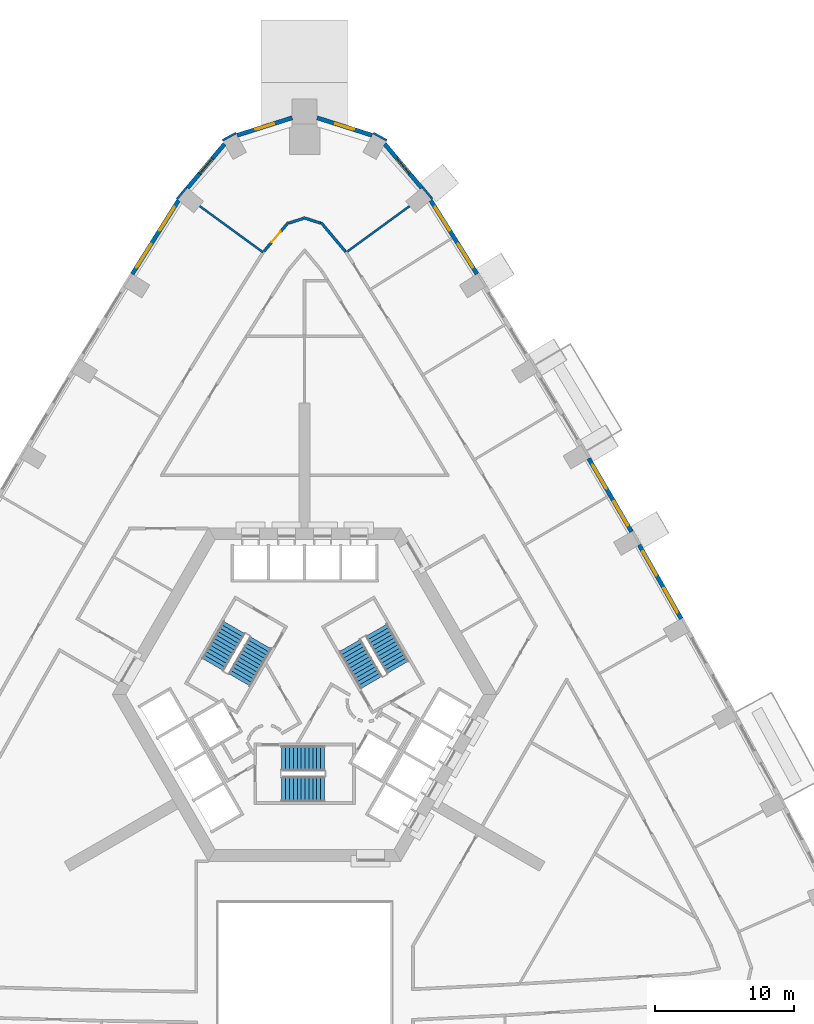
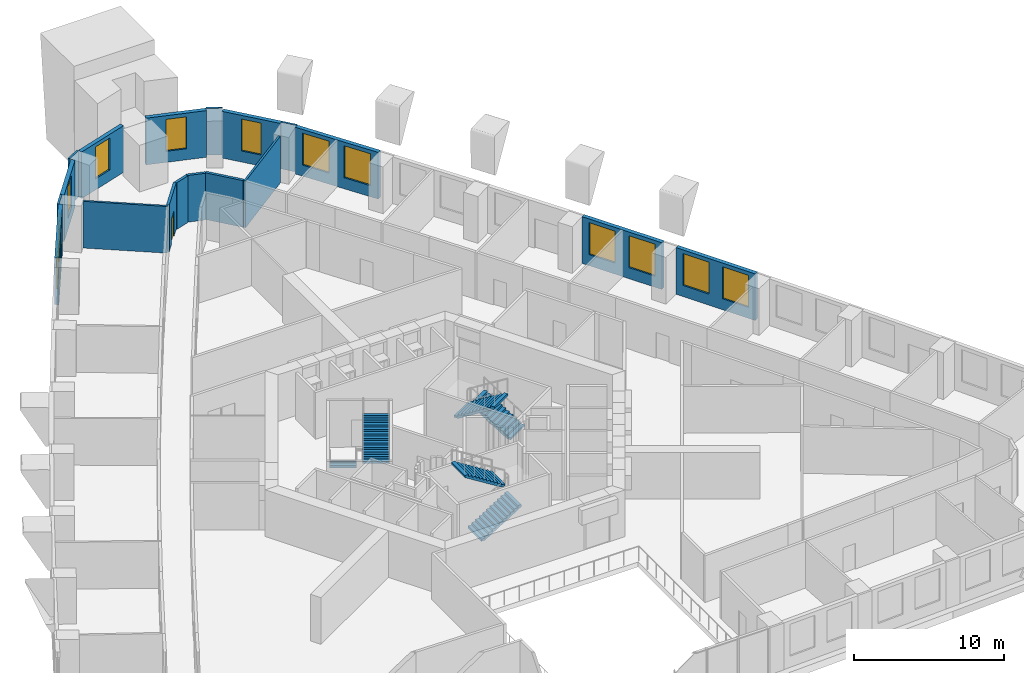
# One storey, part 12 of 15: 18 walls, 12 windows, 6 stair flights, 1 door, 13 openings, 3 elements without a shape of their own.
"""IFC4 building model written with IfcOpenShell, lengths in metres."""

from ifc_helpers import new_model, si_unit, direction, frame, frame_2d, origin, place, context, subcontext, project, spatial, polyline, rectangle, outline, extrude, material, layer, layer_set, type_object, element, fill, aggregate, save


model = new_model("IFC4")

# Units and contexts
model_context = context("Model", 3, precision=1e-05, world=origin(), true_north=direction((0.0, 1.0)))
body_context = subcontext(model_context, "Body", "Model", "MODEL_VIEW")
ifc_project = project(units=[si_unit("LENGTHUNIT", "METRE"), si_unit("AREAUNIT", "SQUARE_METRE"), si_unit("VOLUMEUNIT", "CUBIC_METRE"), si_unit("PLANEANGLEUNIT", "RADIAN"), si_unit("MASSUNIT", "GRAM", prefix="KILO")], contexts=[model_context])

# Site, building, storey
site_placement = place(None, origin())
site = spatial("IfcSite", under=ifc_project, at=site_placement, CompositionType="ELEMENT")
building_placement = place(site_placement, origin())
building = spatial("IfcBuilding", under=site, at=building_placement, Name="Entoto Arch Interchange Tower", CompositionType="ELEMENT")
storey_placement = place(building_placement, frame((0.0, 0.0, 124.39990234375)))
storey = spatial("IfcBuildingStorey", under=building, at=storey_placement, Name="L27", CompositionType="ELEMENT", Elevation=124.39990234375)

# Walls
ifc_material_1 = material(Name="Gypsum board partition on steel studs", Category="steel")
ifc_layer_1 = layer(ifc_material_1, 0.14990234375)
ifc_layer_set_1 = layer_set([ifc_layer_1], Name="Gypsum board partition on steel studs")
wall_type_1 = type_object("IfcWallType", Name="PARTITION 150", PredefinedType="PARTITIONING", material=ifc_layer_set_1)
wall_1_placement = place(storey_placement, frame((2.907958984375, 34.281005859375, 0.0), z_axis=(0.0, 0.0, 1.0), x_axis=(0.807935867, 0.589270425879, 0.0)))
element("IfcWall", 1, at=wall_1_placement, inside=storey, type_object=wall_type_1, Name="wall:L27:p144", PredefinedType="PARTITIONING", context=body_context, shape_type="SweptSolid", body=[
    extrude(rectangle(XDim=5.744384765625, YDim=0.14990234375, at=frame_2d((2.8720703125, 0.0))), origin(), (0.0, 0.0, 1.0), 3.800048828125),
])
wall_2_placement = place(storey_placement, frame((-2.989013671875, 34.340087890625, 0.0), z_axis=(0.0, 0.0, 1.0), x_axis=(-0.807932877043, 0.589274525322, 0.0)))
element("IfcWall", 2, at=wall_2_placement, inside=storey, type_object=wall_type_1, Name="wall:L27:p145", PredefinedType="PARTITIONING", context=body_context, shape_type="SweptSolid", body=[
    extrude(rectangle(XDim=5.64404296875, YDim=0.14990234375, at=frame_2d((2.822021484375, 0.0))), origin(), (0.0, 0.0, 1.0), 3.800048828125),
])

# Wall, opening, door
ifc_layer_2 = layer(ifc_material_1, 0.199951171875)
ifc_layer_set_2 = layer_set([ifc_layer_2], Name="Gypsum board partition on steel studs")
wall_type_2 = type_object("IfcWallType", Name="PARTITION 200", PredefinedType="PARTITIONING", material=ifc_layer_set_2)
wall_3_placement = place(storey_placement, frame((-2.924072265625, 34.4169921875, 0.0), z_axis=(0.0, 0.0, 1.0), x_axis=(0.644113583568, 0.764929860486, 0.0)))
wall_3 = element("IfcWall", 3, at=wall_3_placement, inside=storey, type_object=wall_type_2, Name="wall:L27:p063", PredefinedType="PARTITIONING", context=body_context, shape_type="SweptSolid", body=[
    extrude(rectangle(XDim=2.7138671875, YDim=0.199951171875, at=frame_2d((1.35693359375, 0.0))), origin(), (0.0, 0.0, 1.0), 3.800048828125),
])
opening_1_placement = place(wall_3_placement, frame((0.85693359375, 0.0, 0.0)))
opening_1 = element("IfcOpeningElement", 4, at=opening_1_placement, cuts=wall_3, Name="Opening L27-D13", PredefinedType="OPENING", context=body_context, shape_type="SweptSolid", body=[
    extrude(rectangle(XDim=1.0, YDim=2.10009765625, at=frame_2d((0.5, 1.050048828125))), frame((0.0, 0.10986328125, 0.0), z_axis=(0.0, -1.0, 0.0), x_axis=(1.0, 0.0, 0.0)), (0.0, 0.0, 1.0), 0.219970703125),
])
ifc_material_2 = material(Name="Timber door leaf in Steel S235 frame", Category="steel")
door_type = type_object("IfcDoorType", Name="DOOR DS-10 1000x2100", OperationType="SINGLE_SWING_LEFT", PredefinedType="DOOR", material=ifc_material_2)
door_placement = place(opening_1_placement, origin())
door = element("IfcDoor", 5, at=door_placement, inside=storey, type_object=door_type, Name="door:L27:13", OperationType="SINGLE_SWING_LEFT", OverallHeight=2.10009765625, OverallWidth=1.0, PredefinedType="DOOR", context=body_context, shape_type="SweptSolid", body=[
    extrude(rectangle(XDim=1.0, YDim=2.10009765625, at=frame_2d((0.5, 1.050048828125))), frame((0.0, 0.02490234375, 0.0), z_axis=(0.0, -1.0, 0.0), x_axis=(1.0, 0.0, 0.0)), (0.0, 0.0, 1.0), 0.050048828125),
])
fill(opening_1, door)

# Walls
wall_4_placement = place(storey_placement, frame((-1.14501953125, 36.447021484375, 0.0), z_axis=(0.0, 0.0, 1.0), x_axis=(0.952957783381, 0.303103056886, 0.0)))
element("IfcWall", 6, at=wall_4_placement, inside=storey, type_object=wall_type_2, Name="wall:L27:p064", PredefinedType="PARTITIONING", context=body_context, shape_type="SweptSolid", body=[
    extrude(rectangle(XDim=1.101806640625, YDim=0.199951171875, at=frame_2d((0.55078125, 0.0))), origin(), (0.0, 0.0, 1.0), 3.800048828125),
])
wall_5_placement = place(storey_placement, frame((-0.094970703125, 36.841064453125, 0.0), z_axis=(0.0, 0.0, 1.0), x_axis=(0.953036611979, -0.302855107646, 0.0)))
element("IfcWall", 7, at=wall_5_placement, inside=storey, type_object=wall_type_2, Name="wall:L27:p065", PredefinedType="PARTITIONING", context=body_context, shape_type="SweptSolid", body=[
    extrude(rectangle(XDim=1.301025390625, YDim=0.199951171875, at=frame_2d((0.650390625, 0.0))), origin(), (0.0, 0.0, 1.0), 3.800048828125),
])
wall_6_placement = place(storey_placement, frame((1.176025390625, 36.492919921875, 0.0), z_axis=(0.0, 0.0, 1.0), x_axis=(0.644113583568, -0.764929860486, 0.0)))
element("IfcWall", 8, at=wall_6_placement, inside=storey, type_object=wall_type_2, Name="wall:L27:p066", PredefinedType="PARTITIONING", context=body_context, shape_type="SweptSolid", body=[
    extrude(rectangle(XDim=2.7138671875, YDim=0.199951171875, at=frame_2d((1.35693359375, 0.0))), origin(), (0.0, 0.0, 1.0), 3.800048828125),
])

# Wall, openings, windows
ifc_material_3 = material(Name="Welded tuff (ignimbrite) cladding, warm buff", Category="masonry")
ifc_layer_3 = layer(ifc_material_3, 0.300048828125)
ifc_layer_set_3 = layer_set([ifc_layer_3], Name="Welded tuff (ignimbrite) cladding, warm buff")
wall_type_3 = type_object("IfcWallType", Name="STONE INFILL WALL 300", PredefinedType="STANDARD", material=ifc_layer_set_3)
wall_7_placement = place(storey_placement, frame((27.116943359375, 7.9609375, 0.0), z_axis=(0.0, 0.0, 1.0), x_axis=(-0.495472401298, 0.868623681206, 0.0)))
wall_7 = element("IfcWall", 9, at=wall_7_placement, inside=storey, type_object=wall_type_3, Name="Facade wall NE-04 L27", PredefinedType="STANDARD", context=body_context, shape_type="SweptSolid", body=[
    extrude(rectangle(XDim=6.115478515625, YDim=0.300048828125, at=frame_2d((3.0576171875, 0.0))), origin(), (0.0, 0.0, 1.0), 3.800048828125),
])
opening_2_placement = place(wall_7_placement, frame((0.529052734375, 0.0, 0.89990234375)))
opening_2 = element("IfcOpeningElement", 10, at=opening_2_placement, cuts=wall_7, Name="Opening WO-C", PredefinedType="OPENING", context=body_context, shape_type="SweptSolid", body=[
    extrude(rectangle(XDim=2.0, YDim=2.60009765625, at=frame_2d((1.0, 1.300048828125))), frame((0.0, 0.16015625, 0.0), z_axis=(0.0, -1.0, 0.0), x_axis=(1.0, 0.0, 0.0)), (0.0, 0.0, 1.0), 0.320068359375),
])
opening_3_placement = place(wall_7_placement, frame((3.5869140625, 0.0, 0.89990234375)))
opening_3 = element("IfcOpeningElement", 11, at=opening_3_placement, cuts=wall_7, Name="Opening WO-C", PredefinedType="OPENING", context=body_context, shape_type="SweptSolid", body=[
    extrude(rectangle(XDim=2.0, YDim=2.60009765625, at=frame_2d((1.0, 1.300048828125))), frame((0.0, 0.16015625, 0.0), z_axis=(0.0, -1.0, 0.0), x_axis=(1.0, 0.0, 0.0)), (0.0, 0.0, 1.0), 0.320068359375),
])
ifc_material_4 = material(Name="Clear glass, low-e double glazed", Category="glass")
window_type_1 = type_object("IfcWindowType", Name="WINDOW WO-C 2000x2600", PartitioningType="DOUBLE_PANEL_VERTICAL", PredefinedType="WINDOW", material=ifc_material_4)
window_1_placement = place(opening_2_placement, origin())
window_1 = element("IfcWindow", 12, at=window_1_placement, inside=storey, type_object=window_type_1, Name="Window WO-C NE-04 L27", OverallHeight=2.60009765625, OverallWidth=2.0, PartitioningType="SINGLE_PANEL", PredefinedType="WINDOW", context=body_context, shape_type="SweptSolid", body=[
    extrude(rectangle(XDim=2.0, YDim=2.60009765625, at=frame_2d((1.0, 1.300048828125))), frame((0.0, 0.030029296875, 0.0), z_axis=(0.0, -1.0, 0.0), x_axis=(1.0, 0.0, 0.0)), (0.0, 0.0, 1.0), 0.06005859375),
])
fill(opening_2, window_1)
window_2_placement = place(opening_3_placement, origin())
window_2 = element("IfcWindow", 13, at=window_2_placement, inside=storey, type_object=window_type_1, Name="Window WO-C NE-04 L27", OverallHeight=2.60009765625, OverallWidth=2.0, PartitioningType="SINGLE_PANEL", PredefinedType="WINDOW", context=body_context, shape_type="SweptSolid", body=[
    extrude(rectangle(XDim=2.0, YDim=2.60009765625, at=frame_2d((1.0, 1.300048828125))), frame((0.0, 0.030029296875, 0.0), z_axis=(0.0, -1.0, 0.0), x_axis=(1.0, 0.0, 0.0)), (0.0, 0.0, 1.0), 0.06005859375),
])
fill(opening_3, window_2)

wall_8_placement = place(storey_placement, frame((23.5380859375, 14.22412109375, 0.0), z_axis=(0.0, 0.0, 1.0), x_axis=(-0.504441987427, 0.863445586775, 0.0)))
wall_8 = element("IfcWall", 14, at=wall_8_placement, inside=storey, type_object=wall_type_3, Name="Facade wall NE-05 L27", PredefinedType="STANDARD", context=body_context, shape_type="SweptSolid", body=[
    extrude(rectangle(XDim=6.11376953125, YDim=0.300048828125, at=frame_2d((3.056884765625, 0.0))), origin(), (0.0, 0.0, 1.0), 3.800048828125),
])
opening_4_placement = place(wall_8_placement, frame((0.528076171875, 0.0, 0.89990234375)))
opening_4 = element("IfcOpeningElement", 15, at=opening_4_placement, cuts=wall_8, Name="Opening WO-C", PredefinedType="OPENING", context=body_context, shape_type="SweptSolid", body=[
    extrude(rectangle(XDim=2.0, YDim=2.60009765625, at=frame_2d((1.0, 1.300048828125))), frame((0.0, 0.16015625, 0.0), z_axis=(0.0, -1.0, 0.0), x_axis=(1.0, 0.0, 0.0)), (0.0, 0.0, 1.0), 0.320068359375),
])
opening_5_placement = place(wall_8_placement, frame((3.5849609375, 0.0, 0.89990234375)))
opening_5 = element("IfcOpeningElement", 16, at=opening_5_placement, cuts=wall_8, Name="Opening WO-C", PredefinedType="OPENING", context=body_context, shape_type="SweptSolid", body=[
    extrude(rectangle(XDim=2.0, YDim=2.60009765625, at=frame_2d((1.0, 1.300048828125))), frame((0.0, 0.16015625, 0.0), z_axis=(0.0, -1.0, 0.0), x_axis=(1.0, 0.0, 0.0)), (0.0, 0.0, 1.0), 0.320068359375),
])
window_3_placement = place(opening_4_placement, origin())
window_3 = element("IfcWindow", 17, at=window_3_placement, inside=storey, type_object=window_type_1, Name="Window WO-C NE-05 L27", OverallHeight=2.60009765625, OverallWidth=2.0, PartitioningType="SINGLE_PANEL", PredefinedType="WINDOW", context=body_context, shape_type="SweptSolid", body=[
    extrude(rectangle(XDim=2.0, YDim=2.60009765625, at=frame_2d((1.0, 1.300048828125))), frame((0.0, 0.030029296875, 0.0), z_axis=(0.0, -1.0, 0.0), x_axis=(1.0, 0.0, 0.0)), (0.0, 0.0, 1.0), 0.06005859375),
])
fill(opening_4, window_3)
window_4_placement = place(opening_5_placement, origin())
window_4 = element("IfcWindow", 18, at=window_4_placement, inside=storey, type_object=window_type_1, Name="Window WO-C NE-05 L27", OverallHeight=2.60009765625, OverallWidth=2.0, PartitioningType="SINGLE_PANEL", PredefinedType="WINDOW", context=body_context, shape_type="SweptSolid", body=[
    extrude(rectangle(XDim=2.0, YDim=2.60009765625, at=frame_2d((1.0, 1.300048828125))), frame((0.0, 0.030029296875, 0.0), z_axis=(0.0, -1.0, 0.0), x_axis=(1.0, 0.0, 0.0)), (0.0, 0.0, 1.0), 0.06005859375),
])
fill(opening_5, window_4)

wall_9_placement = place(storey_placement, frame((12.409912109375, 32.779052734375, 0.0), z_axis=(0.0, 0.0, 1.0), x_axis=(-0.53160564075, 0.846991996847, 0.0)))
wall_9 = element("IfcWall", 19, at=wall_9_placement, inside=storey, type_object=wall_type_3, Name="Facade wall NE-08 L27", PredefinedType="STANDARD", context=body_context, shape_type="SweptSolid", body=[
    extrude(rectangle(XDim=6.265625, YDim=0.300048828125, at=frame_2d((3.1328125, 0.0))), origin(), (0.0, 0.0, 1.0), 3.800048828125),
])
opening_6_placement = place(wall_9_placement, frame((0.56591796875, 0.0, 0.89990234375)))
opening_6 = element("IfcOpeningElement", 20, at=opening_6_placement, cuts=wall_9, Name="Opening WO-C", PredefinedType="OPENING", context=body_context, shape_type="SweptSolid", body=[
    extrude(rectangle(XDim=2.0, YDim=2.60009765625, at=frame_2d((1.0, 1.300048828125))), frame((0.0, 0.16015625, 0.0), z_axis=(0.0, -1.0, 0.0), x_axis=(1.0, 0.0, 0.0)), (0.0, 0.0, 1.0), 0.320068359375),
])
opening_7_placement = place(wall_9_placement, frame((3.698974609375, 0.0, 0.89990234375)))
opening_7 = element("IfcOpeningElement", 21, at=opening_7_placement, cuts=wall_9, Name="Opening WO-C", PredefinedType="OPENING", context=body_context, shape_type="SweptSolid", body=[
    extrude(rectangle(XDim=2.0, YDim=2.60009765625, at=frame_2d((1.0, 1.300048828125))), frame((0.0, 0.16015625, 0.0), z_axis=(0.0, -1.0, 0.0), x_axis=(1.0, 0.0, 0.0)), (0.0, 0.0, 1.0), 0.320068359375),
])
window_5_placement = place(opening_6_placement, origin())
window_5 = element("IfcWindow", 22, at=window_5_placement, inside=storey, type_object=window_type_1, Name="Window WO-C NE-08 L27", OverallHeight=2.60009765625, OverallWidth=2.0, PartitioningType="SINGLE_PANEL", PredefinedType="WINDOW", context=body_context, shape_type="SweptSolid", body=[
    extrude(rectangle(XDim=2.0, YDim=2.60009765625, at=frame_2d((1.0, 1.300048828125))), frame((0.0, 0.030029296875, 0.0), z_axis=(0.0, -1.0, 0.0), x_axis=(1.0, 0.0, 0.0)), (0.0, 0.0, 1.0), 0.06005859375),
])
fill(opening_6, window_5)
window_6_placement = place(opening_7_placement, origin())
window_6 = element("IfcWindow", 23, at=window_6_placement, inside=storey, type_object=window_type_1, Name="Window WO-C NE-08 L27", OverallHeight=2.60009765625, OverallWidth=2.0, PartitioningType="SINGLE_PANEL", PredefinedType="WINDOW", context=body_context, shape_type="SweptSolid", body=[
    extrude(rectangle(XDim=2.0, YDim=2.60009765625, at=frame_2d((1.0, 1.300048828125))), frame((0.0, 0.030029296875, 0.0), z_axis=(0.0, -1.0, 0.0), x_axis=(1.0, 0.0, 0.0)), (0.0, 0.0, 1.0), 0.06005859375),
])
fill(opening_7, window_6)

# Wall, opening, window
wall_10_placement = place(storey_placement, frame((8.431884765625, 38.97607421875, 0.0), z_axis=(0.0, 0.0, 1.0), x_axis=(-0.643948600943, 0.765068754652, 0.0)))
wall_10 = element("IfcWall", 24, at=wall_10_placement, inside=storey, type_object=wall_type_3, Name="Facade wall N-01 L27", PredefinedType="STANDARD", context=body_context, shape_type="SweptSolid", body=[
    extrude(rectangle(XDim=4.13818359375, YDim=0.300048828125, at=frame_2d((2.069091796875, 0.0))), origin(), (0.0, 0.0, 1.0), 3.800048828125),
])
opening_8_placement = place(wall_10_placement, frame((1.368896484375, 0.0, 0.89990234375)))
opening_8 = element("IfcOpeningElement", 25, at=opening_8_placement, cuts=wall_10, Name="Opening WO-B", PredefinedType="OPENING", context=body_context, shape_type="SweptSolid", body=[
    extrude(rectangle(XDim=1.39990234375, YDim=2.60009765625, at=frame_2d((0.699951171875, 1.300048828125))), frame((0.0, 0.16015625, 0.0), z_axis=(0.0, -1.0, 0.0), x_axis=(1.0, 0.0, 0.0)), (0.0, 0.0, 1.0), 0.320068359375),
])
window_type_2 = type_object("IfcWindowType", Name="WINDOW WO-B 1400x2600", PartitioningType="DOUBLE_PANEL_VERTICAL", PredefinedType="WINDOW", material=ifc_material_4)
window_7_placement = place(opening_8_placement, origin())
window_7 = element("IfcWindow", 26, at=window_7_placement, inside=storey, type_object=window_type_2, Name="Window WO-B N-01 L27", OverallHeight=2.60009765625, OverallWidth=1.39990234375, PartitioningType="SINGLE_PANEL", PredefinedType="WINDOW", context=body_context, shape_type="SweptSolid", body=[
    extrude(rectangle(XDim=1.39990234375, YDim=2.60009765625, at=frame_2d((0.699951171875, 1.300048828125))), frame((0.0, 0.030029296875, 0.0), z_axis=(0.0, -1.0, 0.0), x_axis=(1.0, 0.0, 0.0)), (0.0, 0.0, 1.0), 0.06005859375),
])
fill(opening_8, window_7)

wall_11_placement = place(storey_placement, frame((4.85888671875, 42.76904296875, 0.0), z_axis=(0.0, 0.0, 1.0), x_axis=(-0.952992117398, 0.30299508936, 0.0)))
wall_11 = element("IfcWall", 27, at=wall_11_placement, inside=storey, type_object=wall_type_3, Name="Facade wall N-02 L27", PredefinedType="STANDARD", context=body_context, shape_type="SweptSolid", body=[
    extrude(rectangle(XDim=4.1552734375, YDim=0.300048828125, at=frame_2d((2.07763671875, 0.0))), origin(), (0.0, 0.0, 1.0), 3.800048828125),
])
opening_9_placement = place(wall_11_placement, frame((1.3779296875, 0.0, 0.89990234375)))
opening_9 = element("IfcOpeningElement", 28, at=opening_9_placement, cuts=wall_11, Name="Opening WO-B", PredefinedType="OPENING", context=body_context, shape_type="SweptSolid", body=[
    extrude(rectangle(XDim=1.39990234375, YDim=2.60009765625, at=frame_2d((0.699951171875, 1.300048828125))), frame((0.0, 0.16015625, 0.0), z_axis=(0.0, -1.0, 0.0), x_axis=(1.0, 0.0, 0.0)), (0.0, 0.0, 1.0), 0.320068359375),
])
window_8_placement = place(opening_9_placement, origin())
window_8 = element("IfcWindow", 29, at=window_8_placement, inside=storey, type_object=window_type_2, Name="Window WO-B N-02 L27", OverallHeight=2.60009765625, OverallWidth=1.39990234375, PartitioningType="SINGLE_PANEL", PredefinedType="WINDOW", context=body_context, shape_type="SweptSolid", body=[
    extrude(rectangle(XDim=1.39990234375, YDim=2.60009765625, at=frame_2d((0.699951171875, 1.300048828125))), frame((0.0, 0.030029296875, 0.0), z_axis=(0.0, -1.0, 0.0), x_axis=(1.0, 0.0, 0.0)), (0.0, 0.0, 1.0), 0.06005859375),
])
fill(opening_9, window_8)

wall_12_placement = place(storey_placement, frame((-0.89892578125, 44.028076171875, 0.0), z_axis=(0.0, 0.0, 1.0), x_axis=(-0.952992117398, -0.30299508936, 0.0)))
wall_12 = element("IfcWall", 30, at=wall_12_placement, inside=storey, type_object=wall_type_3, Name="Facade wall N-03 L27", PredefinedType="STANDARD", context=body_context, shape_type="SweptSolid", body=[
    extrude(rectangle(XDim=4.1552734375, YDim=0.300048828125, at=frame_2d((2.07763671875, 0.0))), origin(), (0.0, 0.0, 1.0), 3.800048828125),
])
opening_10_placement = place(wall_12_placement, frame((1.3779296875, 0.0, 0.89990234375)))
opening_10 = element("IfcOpeningElement", 31, at=opening_10_placement, cuts=wall_12, Name="Opening WO-B", PredefinedType="OPENING", context=body_context, shape_type="SweptSolid", body=[
    extrude(rectangle(XDim=1.39990234375, YDim=2.60009765625, at=frame_2d((0.699951171875, 1.300048828125))), frame((0.0, 0.16015625, 0.0), z_axis=(0.0, -1.0, 0.0), x_axis=(1.0, 0.0, 0.0)), (0.0, 0.0, 1.0), 0.320068359375),
])
window_9_placement = place(opening_10_placement, origin())
window_9 = element("IfcWindow", 32, at=window_9_placement, inside=storey, type_object=window_type_2, Name="Window WO-B N-03 L27", OverallHeight=2.60009765625, OverallWidth=1.39990234375, PartitioningType="SINGLE_PANEL", PredefinedType="WINDOW", context=body_context, shape_type="SweptSolid", body=[
    extrude(rectangle(XDim=1.39990234375, YDim=2.60009765625, at=frame_2d((0.699951171875, 1.300048828125))), frame((0.0, 0.030029296875, 0.0), z_axis=(0.0, -1.0, 0.0), x_axis=(1.0, 0.0, 0.0)), (0.0, 0.0, 1.0), 0.06005859375),
])
fill(opening_10, window_9)

wall_13_placement = place(storey_placement, frame((-5.76708984375, 42.14208984375, 0.0), z_axis=(0.0, 0.0, 1.0), x_axis=(-0.643948600943, -0.765068754652, 0.0)))
wall_13 = element("IfcWall", 33, at=wall_13_placement, inside=storey, type_object=wall_type_3, Name="Facade wall N-04 L27", PredefinedType="STANDARD", context=body_context, shape_type="SweptSolid", body=[
    extrude(rectangle(XDim=4.13818359375, YDim=0.300048828125, at=frame_2d((2.069091796875, 0.0))), origin(), (0.0, 0.0, 1.0), 3.800048828125),
])
opening_11_placement = place(wall_13_placement, frame((1.368896484375, 0.0, 0.89990234375)))
opening_11 = element("IfcOpeningElement", 34, at=opening_11_placement, cuts=wall_13, Name="Opening WO-B", PredefinedType="OPENING", context=body_context, shape_type="SweptSolid", body=[
    extrude(rectangle(XDim=1.39990234375, YDim=2.60009765625, at=frame_2d((0.699951171875, 1.300048828125))), frame((0.0, 0.16015625, 0.0), z_axis=(0.0, -1.0, 0.0), x_axis=(1.0, 0.0, 0.0)), (0.0, 0.0, 1.0), 0.320068359375),
])
window_10_placement = place(opening_11_placement, origin())
window_10 = element("IfcWindow", 35, at=window_10_placement, inside=storey, type_object=window_type_2, Name="Window WO-B N-04 L27", OverallHeight=2.60009765625, OverallWidth=1.39990234375, PartitioningType="SINGLE_PANEL", PredefinedType="WINDOW", context=body_context, shape_type="SweptSolid", body=[
    extrude(rectangle(XDim=1.39990234375, YDim=2.60009765625, at=frame_2d((0.699951171875, 1.300048828125))), frame((0.0, 0.030029296875, 0.0), z_axis=(0.0, -1.0, 0.0), x_axis=(1.0, 0.0, 0.0)), (0.0, 0.0, 1.0), 0.06005859375),
])
fill(opening_11, window_10)

# Wall, openings, windows
wall_14_placement = place(storey_placement, frame((-9.0791015625, 38.0859375, 0.0), z_axis=(0.0, 0.0, 1.0), x_axis=(-0.53160564075, -0.846991996847, 0.0)))
wall_14 = element("IfcWall", 36, at=wall_14_placement, inside=storey, type_object=wall_type_3, Name="Facade wall NW-01 L27", PredefinedType="STANDARD", context=body_context, shape_type="SweptSolid", body=[
    extrude(rectangle(XDim=6.265625, YDim=0.300048828125, at=frame_2d((3.1328125, 0.0))), origin(), (0.0, 0.0, 1.0), 3.800048828125),
])
opening_12_placement = place(wall_14_placement, frame((0.56591796875, 0.0, 0.89990234375)))
opening_12 = element("IfcOpeningElement", 37, at=opening_12_placement, cuts=wall_14, Name="Opening WO-C", PredefinedType="OPENING", context=body_context, shape_type="SweptSolid", body=[
    extrude(rectangle(XDim=2.0, YDim=2.60009765625, at=frame_2d((1.0, 1.300048828125))), frame((0.0, 0.16015625, 0.0), z_axis=(0.0, -1.0, 0.0), x_axis=(1.0, 0.0, 0.0)), (0.0, 0.0, 1.0), 0.320068359375),
])
opening_13_placement = place(wall_14_placement, frame((3.698974609375, 0.0, 0.89990234375)))
opening_13 = element("IfcOpeningElement", 38, at=opening_13_placement, cuts=wall_14, Name="Opening WO-C", PredefinedType="OPENING", context=body_context, shape_type="SweptSolid", body=[
    extrude(rectangle(XDim=2.0, YDim=2.60009765625, at=frame_2d((1.0, 1.300048828125))), frame((0.0, 0.16015625, 0.0), z_axis=(0.0, -1.0, 0.0), x_axis=(1.0, 0.0, 0.0)), (0.0, 0.0, 1.0), 0.320068359375),
])
window_11_placement = place(opening_12_placement, origin())
window_11 = element("IfcWindow", 39, at=window_11_placement, inside=storey, type_object=window_type_1, Name="Window WO-C NW-01 L27", OverallHeight=2.60009765625, OverallWidth=2.0, PartitioningType="SINGLE_PANEL", PredefinedType="WINDOW", context=body_context, shape_type="SweptSolid", body=[
    extrude(rectangle(XDim=2.0, YDim=2.60009765625, at=frame_2d((1.0, 1.300048828125))), frame((0.0, 0.030029296875, 0.0), z_axis=(0.0, -1.0, 0.0), x_axis=(1.0, 0.0, 0.0)), (0.0, 0.0, 1.0), 0.06005859375),
])
fill(opening_12, window_11)
window_12_placement = place(opening_13_placement, origin())
window_12 = element("IfcWindow", 40, at=window_12_placement, inside=storey, type_object=window_type_1, Name="Window WO-C NW-01 L27", OverallHeight=2.60009765625, OverallWidth=2.0, PartitioningType="SINGLE_PANEL", PredefinedType="WINDOW", context=body_context, shape_type="SweptSolid", body=[
    extrude(rectangle(XDim=2.0, YDim=2.60009765625, at=frame_2d((1.0, 1.300048828125))), frame((0.0, 0.030029296875, 0.0), z_axis=(0.0, -1.0, 0.0), x_axis=(1.0, 0.0, 0.0)), (0.0, 0.0, 1.0), 0.06005859375),
])
fill(opening_13, window_12)

# Walls
ifc_layer_4 = layer(ifc_material_3, 0.14990234375)
ifc_layer_set_4 = layer_set([ifc_layer_4], Name="Welded tuff (ignimbrite) cladding, warm buff")
wall_type_4 = type_object("IfcWallType", Name="STONE PIER CLADDING 150", PredefinedType="STANDARD", material=ifc_layer_set_4)
for number, where, z_axis, x_axis, name in (
    (41, (5.912109375, 42.404052734375, 0.0), (0.0, 0.0, 1.0), (-0.877556336627, 0.479473540507, 0.0), "Stone pier N1 L27"),
    (42, (-4.946044921875, 42.931884765625, 0.0), (0.0, 0.0, 1.0), (-0.877556336627, -0.479473540507, 0.0), "Stone pier N3 L27"),
):
    element("IfcWall", number, at=place(storey_placement, frame(where, z_axis=z_axis, x_axis=x_axis)), inside=storey, type_object=wall_type_4, Name=name, PredefinedType="STANDARD", context=body_context, shape_type="SweptSolid", body=[
        extrude(rectangle(XDim=1.100830078125, YDim=0.14990234375, at=frame_2d((0.55029296875, 0.0))), origin(), (0.0, 0.0, 1.0), 3.800048828125),
    ])
for number, where, z_axis, x_axis, name in (
    (43, (9.194091796875, 38.180908203125, 0.0), (0.0, 0.0, 1.0), (-0.638566874111, 0.769566337159, 0.0), "Stone pier NE09 L27"),
    (44, (-8.491943359375, 39.027099609375, 0.0), (0.0, 0.0, 1.0), (-0.638566874111, -0.769566337159, 0.0), "Stone pier NW01 L27"),
):
    element("IfcWall", number, at=place(storey_placement, frame(where, z_axis=z_axis, x_axis=x_axis)), inside=storey, type_object=wall_type_4, Name=name, PredefinedType="STANDARD", context=body_context, shape_type="SweptSolid", body=[
        extrude(rectangle(XDim=1.099609375, YDim=0.14990234375, at=frame_2d((0.5498046875, 0.0))), origin(), (0.0, 0.0, 1.0), 3.800048828125),
    ])

# Stair, stair flights
ifc_material_5 = material(Name="Concrete C40/50", Category="concrete")
stair_type = type_object("IfcStairType", Name="EXIT STAIR RC 1800", PredefinedType="HALF_TURN_STAIR", material=ifc_material_5)
stair_1_placement = place(storey_placement, origin())
stair_1 = element("IfcStair", 45, at=stair_1_placement, inside=storey, type_object=stair_type, Name="L27 Exit stair S", PredefinedType="HALF_TURN_STAIR")
stair_flight_type = type_object("IfcStairFlightType", Name="EXIT STAIR FLIGHT RC 1800", PredefinedType="STRAIGHT", material=ifc_material_5)
stair_flight_1_placement = place(storey_placement, frame((-1.64990234375, -4.300048828125, 0.0), z_axis=(0.0, 0.0, 1.0), x_axis=(1.0, 0.0, 0.0)))
stair_flight_1 = element("IfcStairFlight", 46, at=stair_flight_1_placement, type_object=stair_flight_type, Name="ST-S flight 1", NumberOfRisers=12, NumberOfTreads=11, PredefinedType="STRAIGHT", RiserHeight=0.175, TreadLength=0.28, context=body_context, shape_type="SweptSolid", body=[
    extrude(outline(polyline([(-0.0029296875, 0.0), (-0.0029296875, 0.175048828125), (0.280029296875, 0.175048828125), (0.280029296875, 0.35009765625), (0.56005859375, 0.35009765625), (0.56005859375, 0.52490234375), (0.840087890625, 0.52490234375), (0.840087890625, 0.699951171875), (1.1201171875, 0.699951171875), (1.1201171875, 0.875), (1.39990234375, 0.875), (1.39990234375, 1.050048828125), (1.679931640625, 1.050048828125), (1.679931640625, 1.22509765625), (1.9599609375, 1.22509765625), (1.9599609375, 1.39990234375), (2.239990234375, 1.39990234375), (2.239990234375, 1.574951171875), (2.52001953125, 1.574951171875), (2.52001953125, 1.75), (2.800048828125, 1.75), (2.800048828125, 1.925048828125), (3.080078125, 1.925048828125), (3.0830078125, 1.925048828125), (3.0830078125, 1.75), (0.28271484375, 0.0), (-0.0029296875, 0.0)])), frame((0.0, 0.89990234375, 0.0), z_axis=(0.0, -1.0, 0.0), x_axis=(1.0, 0.0, 0.0)), (0.0, 0.0, 1.0), 1.800048828125),
])
stair_flight_2_placement = place(storey_placement, frame((1.429931640625, -2.10009765625, 2.10009765625), z_axis=(0.0, 0.0, 1.0), x_axis=(-1.0, 0.0, 0.0)))
stair_flight_2 = element("IfcStairFlight", 47, at=stair_flight_2_placement, type_object=stair_flight_type, Name="ST-S flight 2", NumberOfRisers=12, NumberOfTreads=11, PredefinedType="STRAIGHT", RiserHeight=0.175, TreadLength=0.28, context=body_context, shape_type="SweptSolid", body=[
    extrude(outline(polyline([(-0.0029296875, 0.0), (-0.0029296875, 0.175048828125), (0.280029296875, 0.175048828125), (0.280029296875, 0.35009765625), (0.56005859375, 0.35009765625), (0.56005859375, 0.52490234375), (0.840087890625, 0.52490234375), (0.840087890625, 0.699951171875), (1.1201171875, 0.699951171875), (1.1201171875, 0.875), (1.39990234375, 0.875), (1.39990234375, 1.050048828125), (1.679931640625, 1.050048828125), (1.679931640625, 1.22509765625), (1.9599609375, 1.22509765625), (1.9599609375, 1.39990234375), (2.239990234375, 1.39990234375), (2.239990234375, 1.574951171875), (2.52001953125, 1.574951171875), (2.52001953125, 1.75), (2.800048828125, 1.75), (2.800048828125, 1.925048828125), (3.080078125, 1.925048828125), (3.0830078125, 1.925048828125), (3.0830078125, 1.75), (0.28271484375, 0.0), (-0.0029296875, 0.0)])), frame((0.0, 0.89990234375, 0.0), z_axis=(0.0, -1.0, 0.0), x_axis=(1.0, 0.0, 0.0)), (0.0, 0.0, 1.0), 1.800048828125),
])
aggregate(stair_1, [stair_flight_1, stair_flight_2])

stair_2_placement = place(storey_placement, origin())
stair_2 = element("IfcStair", 48, at=stair_2_placement, inside=storey, type_object=stair_type, Name="L27 Exit stair NE", PredefinedType="HALF_TURN_STAIR")
stair_flight_3_placement = place(storey_placement, frame((6.7138671875, 4.470947265625, 0.0), z_axis=(0.0, 0.0, 1.0), x_axis=(-0.5, 0.866025403784, 0.0)))
stair_flight_3 = element("IfcStairFlight", 49, at=stair_flight_3_placement, type_object=stair_flight_type, Name="ST-NE flight 1", NumberOfRisers=12, NumberOfTreads=11, PredefinedType="STRAIGHT", RiserHeight=0.175, TreadLength=0.28, context=body_context, shape_type="SweptSolid", body=[
    extrude(outline(polyline([(-0.0029296875, 0.0), (-0.0029296875, 0.175048828125), (0.280029296875, 0.175048828125), (0.280029296875, 0.35009765625), (0.56005859375, 0.35009765625), (0.56005859375, 0.52490234375), (0.840087890625, 0.52490234375), (0.840087890625, 0.699951171875), (1.1201171875, 0.699951171875), (1.1201171875, 0.875), (1.39990234375, 0.875), (1.39990234375, 1.050048828125), (1.679931640625, 1.050048828125), (1.679931640625, 1.22509765625), (1.9599609375, 1.22509765625), (1.9599609375, 1.39990234375), (2.239990234375, 1.39990234375), (2.239990234375, 1.574951171875), (2.52001953125, 1.574951171875), (2.52001953125, 1.75), (2.800048828125, 1.75), (2.800048828125, 1.925048828125), (3.080078125, 1.925048828125), (3.0830078125, 1.925048828125), (3.0830078125, 1.75), (0.28271484375, 0.0), (-0.0029296875, 0.0)])), frame((0.0, 0.89990234375, 0.0), z_axis=(0.0, -1.0, 0.0), x_axis=(1.0, 0.0, 0.0)), (0.0, 0.0, 1.0), 1.800048828125),
])
stair_flight_4_placement = place(storey_placement, frame((3.268798828125, 6.038330078125, 2.10009765625), z_axis=(0.0, 0.0, 1.0), x_axis=(0.5, -0.866025403784, 0.0)))
stair_flight_4 = element("IfcStairFlight", 50, at=stair_flight_4_placement, type_object=stair_flight_type, Name="ST-NE flight 2", NumberOfRisers=12, NumberOfTreads=11, PredefinedType="STRAIGHT", RiserHeight=0.175, TreadLength=0.28, context=body_context, shape_type="SweptSolid", body=[
    extrude(outline(polyline([(-0.0029296875, 0.0), (-0.0029296875, 0.175048828125), (0.280029296875, 0.175048828125), (0.280029296875, 0.35009765625), (0.56005859375, 0.35009765625), (0.56005859375, 0.52490234375), (0.840087890625, 0.52490234375), (0.840087890625, 0.699951171875), (1.1201171875, 0.699951171875), (1.1201171875, 0.875), (1.39990234375, 0.875), (1.39990234375, 1.050048828125), (1.679931640625, 1.050048828125), (1.679931640625, 1.22509765625), (1.9599609375, 1.22509765625), (1.9599609375, 1.39990234375), (2.239990234375, 1.39990234375), (2.239990234375, 1.574951171875), (2.52001953125, 1.574951171875), (2.52001953125, 1.75), (2.800048828125, 1.75), (2.800048828125, 1.925048828125), (3.080078125, 1.925048828125), (3.0830078125, 1.925048828125), (3.0830078125, 1.75), (0.28271484375, 0.0), (-0.0029296875, 0.0)])), frame((0.0, 0.89990234375, 0.0), z_axis=(0.0, -1.0, 0.0), x_axis=(1.0, 0.0, 0.0)), (0.0, 0.0, 1.0), 1.800048828125),
])
aggregate(stair_2, [stair_flight_3, stair_flight_4])

stair_3_placement = place(storey_placement, origin())
stair_3 = element("IfcStair", 51, at=stair_3_placement, inside=storey, type_object=stair_type, Name="L27 Exit stair NW", PredefinedType="HALF_TURN_STAIR")
stair_flight_5_placement = place(storey_placement, frame((-5.06396484375, 7.328857421875, 0.0), z_axis=(0.0, 0.0, 1.0), x_axis=(-0.5, -0.866025403784, 0.0)))
stair_flight_5 = element("IfcStairFlight", 52, at=stair_flight_5_placement, type_object=stair_flight_type, Name="ST-NW flight 1", NumberOfRisers=12, NumberOfTreads=11, PredefinedType="STRAIGHT", RiserHeight=0.175, TreadLength=0.28, context=body_context, shape_type="SweptSolid", body=[
    extrude(outline(polyline([(-0.0029296875, 0.0), (-0.0029296875, 0.175048828125), (0.280029296875, 0.175048828125), (0.280029296875, 0.35009765625), (0.56005859375, 0.35009765625), (0.56005859375, 0.52490234375), (0.840087890625, 0.52490234375), (0.840087890625, 0.699951171875), (1.1201171875, 0.699951171875), (1.1201171875, 0.875), (1.39990234375, 0.875), (1.39990234375, 1.050048828125), (1.679931640625, 1.050048828125), (1.679931640625, 1.22509765625), (1.9599609375, 1.22509765625), (1.9599609375, 1.39990234375), (2.239990234375, 1.39990234375), (2.239990234375, 1.574951171875), (2.52001953125, 1.574951171875), (2.52001953125, 1.75), (2.800048828125, 1.75), (2.800048828125, 1.925048828125), (3.080078125, 1.925048828125), (3.0830078125, 1.925048828125), (3.0830078125, 1.75), (0.28271484375, 0.0), (-0.0029296875, 0.0)])), frame((0.0, 0.89990234375, 0.0), z_axis=(0.0, -1.0, 0.0), x_axis=(1.0, 0.0, 0.0)), (0.0, 0.0, 1.0), 1.800048828125),
])
stair_flight_6_placement = place(storey_placement, frame((-4.69873046875, 3.5615234375, 2.10009765625), z_axis=(0.0, 0.0, 1.0), x_axis=(0.5, 0.866025403784, 0.0)))
stair_flight_6 = element("IfcStairFlight", 53, at=stair_flight_6_placement, type_object=stair_flight_type, Name="ST-NW flight 2", NumberOfRisers=12, NumberOfTreads=11, PredefinedType="STRAIGHT", RiserHeight=0.175, TreadLength=0.28, context=body_context, shape_type="SweptSolid", body=[
    extrude(outline(polyline([(-0.0029296875, 0.0), (-0.0029296875, 0.175048828125), (0.280029296875, 0.175048828125), (0.280029296875, 0.35009765625), (0.56005859375, 0.35009765625), (0.56005859375, 0.52490234375), (0.840087890625, 0.52490234375), (0.840087890625, 0.699951171875), (1.1201171875, 0.699951171875), (1.1201171875, 0.875), (1.39990234375, 0.875), (1.39990234375, 1.050048828125), (1.679931640625, 1.050048828125), (1.679931640625, 1.22509765625), (1.9599609375, 1.22509765625), (1.9599609375, 1.39990234375), (2.239990234375, 1.39990234375), (2.239990234375, 1.574951171875), (2.52001953125, 1.574951171875), (2.52001953125, 1.75), (2.800048828125, 1.75), (2.800048828125, 1.925048828125), (3.080078125, 1.925048828125), (3.0830078125, 1.925048828125), (3.0830078125, 1.75), (0.28271484375, 0.0), (-0.0029296875, 0.0)])), frame((0.0, 0.89990234375, 0.0), z_axis=(0.0, -1.0, 0.0), x_axis=(1.0, 0.0, 0.0)), (0.0, 0.0, 1.0), 1.800048828125),
])
aggregate(stair_3, [stair_flight_5, stair_flight_6])

save(model, "model.ifc")
